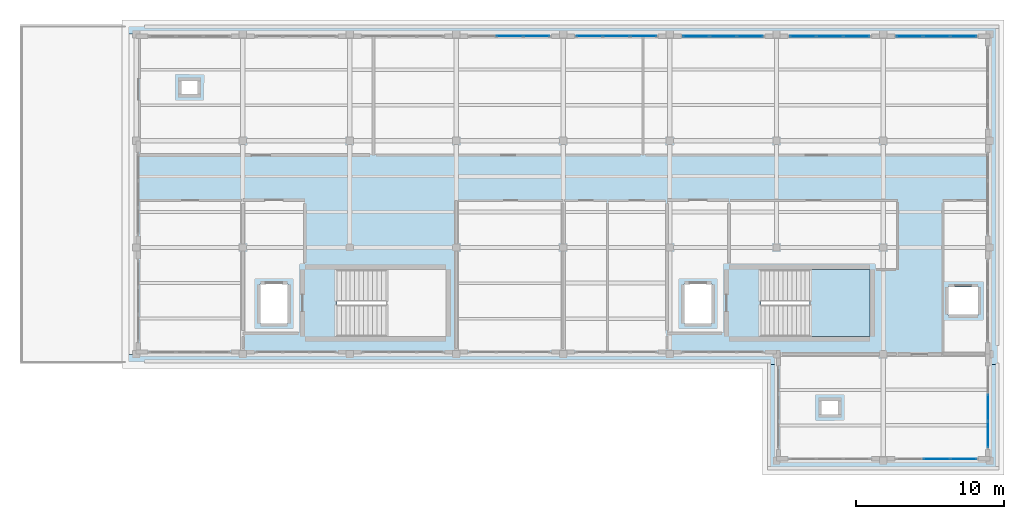
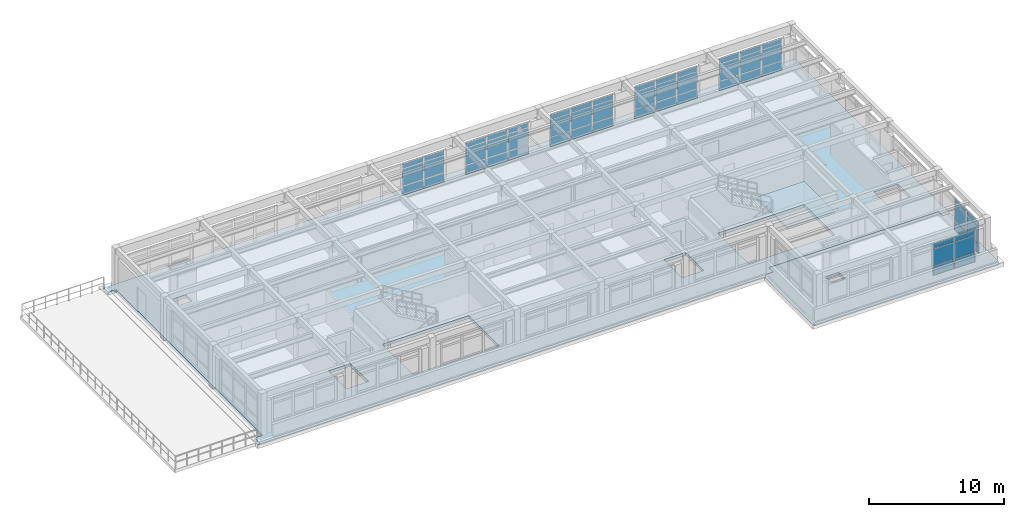
# One storey, part 12 of 18: 54 plates, 3 slabs, 8 elements without a shape of their own.
"""IFC4 building model written with IfcOpenShell, lengths in metres."""

from ifc_helpers import new_model, si_unit, direction, frame, origin, origin_2d, place, context, subcontext, project, spatial, polyline, rectangle, outline, extrude, material, layer, layer_set, type_object, element, aggregate, save


model = new_model("IFC4")

# Units and contexts
model_context = context("Model", 3, precision=1e-05, world=origin(), true_north=direction((0.0, 1.0)))
body_context = subcontext(model_context, "Body", "Model", "MODEL_VIEW")
ifc_project = project(units=[si_unit("LENGTHUNIT", "METRE"), si_unit("AREAUNIT", "SQUARE_METRE"), si_unit("VOLUMEUNIT", "CUBIC_METRE"), si_unit("PLANEANGLEUNIT", "RADIAN"), si_unit("MASSUNIT", "GRAM", prefix="KILO")], contexts=[model_context])

# Site, building, storey
site_placement = place(None, origin())
site = spatial("IfcSite", under=ifc_project, at=site_placement, CompositionType="ELEMENT")
building_placement = place(site_placement, origin())
building = spatial("IfcBuilding", under=site, at=building_placement, Name="Solenvale Faculty of Natural Sciences", CompositionType="ELEMENT")
storey_placement = place(building_placement, frame((0.0, 0.0, 39.60009765625)))
storey = spatial("IfcBuildingStorey", under=building, at=storey_placement, Name="L09", CompositionType="ELEMENT", Elevation=39.60009765625)

# Curtain wall, plates
ifc_material_1 = material(Name="Anodised bronze aluminium", Category="aluminium")
ifc_layer_1 = layer(ifc_material_1, 0.179931640625)
ifc_layer_set_1 = layer_set([ifc_layer_1], Name="Anodised bronze aluminium")
curtain_wall_type = type_object("IfcCurtainWallType", Name="CW-TWR-MOD", PredefinedType="USERDEFINED", material=ifc_layer_set_1)
curtain_wall_1_placement = place(storey_placement, origin())
curtain_wall_1 = element("IfcCurtainWall", 1, at=curtain_wall_1_placement, inside=storey, type_object=curtain_wall_type, Name="L09 Curtain Wall CW-L09-P1-E2-B4", ObjectType="UNITISED CURTAIN WALL", PredefinedType="USERDEFINED")
ifc_material_2 = material(Name="North-light skylight glass", Category="glass")
ifc_layer_2 = layer(ifc_material_2, 0.028076171875)
ifc_layer_set_2 = layer_set([ifc_layer_2], Name="North-light skylight glass")
plate_type_1 = type_object("IfcPlateType", Name="CWP-PNL-28", PredefinedType="CURTAIN_PANEL", material=ifc_layer_set_2)
plate_1_placement = place(storey_placement, frame((127.814697265625, 115.0576171875, 0.074951171875), z_axis=(0.0, 0.0, 1.0), x_axis=(-1.0, 0.0, 0.0)))
plate_1 = element("IfcPlate", 2, at=plate_1_placement, type_object=plate_type_1, Name="CW-04 panel 1.1", PredefinedType="CURTAIN_PANEL", context=body_context, shape_type="SweptSolid", body=[
    extrude(rectangle(XDim=1.720947265625, YDim=0.028076171875, at=origin_2d()), origin(), (0.0, 0.0, 1.0), 0.78759765625),
])
plate_2_placement = place(storey_placement, frame((127.814697265625, 115.0576171875, 0.9375), z_axis=(0.0, 0.0, 1.0), x_axis=(-1.0, 0.0, 0.0)))
plate_2 = element("IfcPlate", 3, at=plate_2_placement, type_object=plate_type_1, Name="CW-04 panel 1.2", PredefinedType="CURTAIN_PANEL", context=body_context, shape_type="SweptSolid", body=[
    extrude(rectangle(XDim=1.720947265625, YDim=0.028076171875, at=origin_2d()), origin(), (0.0, 0.0, 1.0), 1.485107421875),
])
plate_3_placement = place(storey_placement, frame((127.814697265625, 115.0576171875, 2.49755859375), z_axis=(0.0, 0.0, 1.0), x_axis=(-1.0, 0.0, 0.0)))
plate_3 = element("IfcPlate", 4, at=plate_3_placement, type_object=plate_type_1, Name="CW-04 panel 1.3", PredefinedType="CURTAIN_PANEL", context=body_context, shape_type="SweptSolid", body=[
    extrude(rectangle(XDim=1.720947265625, YDim=0.028076171875, at=origin_2d()), origin(), (0.0, 0.0, 1.0), 0.387451171875),
])
plate_4_placement = place(storey_placement, frame((126.0, 115.0576171875, 0.074951171875), z_axis=(0.0, 0.0, 1.0), x_axis=(-1.0, 0.0, 0.0)))
plate_4 = element("IfcPlate", 5, at=plate_4_placement, type_object=plate_type_1, Name="CW-04 panel 2.1", PredefinedType="CURTAIN_PANEL", context=body_context, shape_type="SweptSolid", body=[
    extrude(rectangle(XDim=1.75830078125, YDim=0.028076171875, at=origin_2d()), origin(), (0.0, 0.0, 1.0), 0.78759765625),
])
plate_5_placement = place(storey_placement, frame((126.0, 115.0576171875, 0.9375), z_axis=(0.0, 0.0, 1.0), x_axis=(-1.0, 0.0, 0.0)))
plate_5 = element("IfcPlate", 6, at=plate_5_placement, type_object=plate_type_1, Name="CW-04 panel 2.2", PredefinedType="CURTAIN_PANEL", context=body_context, shape_type="SweptSolid", body=[
    extrude(rectangle(XDim=1.75830078125, YDim=0.028076171875, at=origin_2d()), origin(), (0.0, 0.0, 1.0), 1.485107421875),
])
plate_6_placement = place(storey_placement, frame((126.0, 115.0576171875, 2.49755859375), z_axis=(0.0, 0.0, 1.0), x_axis=(-1.0, 0.0, 0.0)))
plate_6 = element("IfcPlate", 7, at=plate_6_placement, type_object=plate_type_1, Name="CW-04 panel 2.3", PredefinedType="CURTAIN_PANEL", context=body_context, shape_type="SweptSolid", body=[
    extrude(rectangle(XDim=1.75830078125, YDim=0.028076171875, at=origin_2d()), origin(), (0.0, 0.0, 1.0), 0.387451171875),
])
plate_7_placement = place(storey_placement, frame((124.185302734375, 115.0576171875, 0.074951171875), z_axis=(0.0, 0.0, 1.0), x_axis=(-1.0, 0.0, 0.0)))
plate_7 = element("IfcPlate", 8, at=plate_7_placement, type_object=plate_type_1, Name="CW-04 panel 3.1", PredefinedType="CURTAIN_PANEL", context=body_context, shape_type="SweptSolid", body=[
    extrude(rectangle(XDim=1.720947265625, YDim=0.028076171875, at=origin_2d()), origin(), (0.0, 0.0, 1.0), 0.78759765625),
])
plate_8_placement = place(storey_placement, frame((124.185302734375, 115.0576171875, 0.9375), z_axis=(0.0, 0.0, 1.0), x_axis=(-1.0, 0.0, 0.0)))
plate_8 = element("IfcPlate", 9, at=plate_8_placement, type_object=plate_type_1, Name="CW-04 panel 3.2", PredefinedType="CURTAIN_PANEL", context=body_context, shape_type="SweptSolid", body=[
    extrude(rectangle(XDim=1.720947265625, YDim=0.028076171875, at=origin_2d()), origin(), (0.0, 0.0, 1.0), 1.485107421875),
])
plate_9_placement = place(storey_placement, frame((124.185302734375, 115.0576171875, 2.49755859375), z_axis=(0.0, 0.0, 1.0), x_axis=(-1.0, 0.0, 0.0)))
plate_9 = element("IfcPlate", 10, at=plate_9_placement, type_object=plate_type_1, Name="CW-04 panel 3.3", PredefinedType="CURTAIN_PANEL", context=body_context, shape_type="SweptSolid", body=[
    extrude(rectangle(XDim=1.720947265625, YDim=0.028076171875, at=origin_2d()), origin(), (0.0, 0.0, 1.0), 0.387451171875),
])
aggregate(curtain_wall_1, [plate_1, plate_2, plate_3, plate_4, plate_5, plate_6, plate_7, plate_8, plate_9])

curtain_wall_2_placement = place(storey_placement, origin())
curtain_wall_2 = element("IfcCurtainWall", 11, at=curtain_wall_2_placement, inside=storey, type_object=curtain_wall_type, Name="L09 Curtain Wall CW-L09-P1-E2-B5", ObjectType="UNITISED CURTAIN WALL", PredefinedType="USERDEFINED")
ifc_material_3 = material(Name="Triple low-E insulated glass", Category="glass")
ifc_layer_3 = layer(ifc_material_3, 0.031982421875)
ifc_layer_set_3 = layer_set([ifc_layer_3], Name="Triple low-E insulated glass")
plate_type_2 = type_object("IfcPlateType", Name="CWP-PNL-32", PredefinedType="CURTAIN_PANEL", material=ifc_layer_set_3)
plate_10_placement = place(storey_placement, frame((120.614501953125, 115.0576171875, 0.074951171875), z_axis=(0.0, 0.0, 1.0), x_axis=(-1.0, 0.0, 0.0)))
plate_10 = element("IfcPlate", 12, at=plate_10_placement, type_object=plate_type_2, Name="CW-04 panel 1.1", PredefinedType="CURTAIN_PANEL", context=body_context, shape_type="SweptSolid", body=[
    extrude(rectangle(XDim=1.720947265625, YDim=0.031982421875, at=origin_2d()), origin(), (0.0, 0.0, 1.0), 0.78759765625),
])
plate_11_placement = place(storey_placement, frame((120.614501953125, 115.0576171875, 0.9375), z_axis=(0.0, 0.0, 1.0), x_axis=(-1.0, 0.0, 0.0)))
plate_11 = element("IfcPlate", 13, at=plate_11_placement, type_object=plate_type_2, Name="CW-04 panel 1.2", PredefinedType="CURTAIN_PANEL", context=body_context, shape_type="SweptSolid", body=[
    extrude(rectangle(XDim=1.720947265625, YDim=0.031982421875, at=origin_2d()), origin(), (0.0, 0.0, 1.0), 1.485107421875),
])
plate_12_placement = place(storey_placement, frame((120.614501953125, 115.0576171875, 2.49755859375), z_axis=(0.0, 0.0, 1.0), x_axis=(-1.0, 0.0, 0.0)))
plate_12 = element("IfcPlate", 14, at=plate_12_placement, type_object=plate_type_2, Name="CW-04 panel 1.3", PredefinedType="CURTAIN_PANEL", context=body_context, shape_type="SweptSolid", body=[
    extrude(rectangle(XDim=1.720947265625, YDim=0.031982421875, at=origin_2d()), origin(), (0.0, 0.0, 1.0), 0.387451171875),
])
plate_13_placement = place(storey_placement, frame((118.800048828125, 115.0576171875, 0.074951171875), z_axis=(0.0, 0.0, 1.0), x_axis=(-1.0, 0.0, 0.0)))
plate_13 = element("IfcPlate", 15, at=plate_13_placement, type_object=plate_type_2, Name="CW-04 panel 2.1", PredefinedType="CURTAIN_PANEL", context=body_context, shape_type="SweptSolid", body=[
    extrude(rectangle(XDim=1.75830078125, YDim=0.031982421875, at=origin_2d()), origin(), (0.0, 0.0, 1.0), 0.78759765625),
])
plate_14_placement = place(storey_placement, frame((118.800048828125, 115.0576171875, 0.9375), z_axis=(0.0, 0.0, 1.0), x_axis=(-1.0, 0.0, 0.0)))
plate_14 = element("IfcPlate", 16, at=plate_14_placement, type_object=plate_type_2, Name="CW-04 panel 2.2", PredefinedType="CURTAIN_PANEL", context=body_context, shape_type="SweptSolid", body=[
    extrude(rectangle(XDim=1.75830078125, YDim=0.031982421875, at=origin_2d()), origin(), (0.0, 0.0, 1.0), 1.485107421875),
])
plate_15_placement = place(storey_placement, frame((118.800048828125, 115.0576171875, 2.49755859375), z_axis=(0.0, 0.0, 1.0), x_axis=(-1.0, 0.0, 0.0)))
plate_15 = element("IfcPlate", 17, at=plate_15_placement, type_object=plate_type_2, Name="CW-04 panel 2.3", PredefinedType="CURTAIN_PANEL", context=body_context, shape_type="SweptSolid", body=[
    extrude(rectangle(XDim=1.75830078125, YDim=0.031982421875, at=origin_2d()), origin(), (0.0, 0.0, 1.0), 0.387451171875),
])
aggregate(curtain_wall_2, [plate_10, plate_11, plate_12, plate_13, plate_14, plate_15])

curtain_wall_3_placement = place(storey_placement, origin())
curtain_wall_3 = element("IfcCurtainWall", 18, at=curtain_wall_3_placement, inside=storey, type_object=curtain_wall_type, Name="L09 Curtain Wall CW-L09-P1-E6-B2", ObjectType="UNITISED CURTAIN WALL", PredefinedType="USERDEFINED")
ifc_layer_4 = layer(ifc_material_3, 0.035888671875)
ifc_layer_set_4 = layer_set([ifc_layer_4], Name="Triple low-E insulated glass")
plate_type_3 = type_object("IfcPlateType", Name="CWP-PNL-36", PredefinedType="CURTAIN_PANEL", material=ifc_layer_set_4)
plate_16_placement = place(storey_placement, frame((147.60009765625, 86.54248046875, 0.074951171875), z_axis=(0.0, 0.0, 1.0), x_axis=(1.0, 0.0, 0.0)))
plate_16 = element("IfcPlate", 19, at=plate_16_placement, type_object=plate_type_3, Name="CW-04 panel 2.1", PredefinedType="CURTAIN_PANEL", context=body_context, shape_type="SweptSolid", body=[
    extrude(rectangle(XDim=1.75830078125, YDim=0.035888671875, at=origin_2d()), origin(), (0.0, 0.0, 1.0), 0.78759765625),
])
plate_17_placement = place(storey_placement, frame((147.60009765625, 86.54248046875, 0.9375), z_axis=(0.0, 0.0, 1.0), x_axis=(1.0, 0.0, 0.0)))
plate_17 = element("IfcPlate", 20, at=plate_17_placement, type_object=plate_type_3, Name="CW-04 panel 2.2", PredefinedType="CURTAIN_PANEL", context=body_context, shape_type="SweptSolid", body=[
    extrude(rectangle(XDim=1.75830078125, YDim=0.035888671875, at=origin_2d()), origin(), (0.0, 0.0, 1.0), 1.485107421875),
])
plate_18_placement = place(storey_placement, frame((147.60009765625, 86.54248046875, 2.49755859375), z_axis=(0.0, 0.0, 1.0), x_axis=(1.0, 0.0, 0.0)))
plate_18 = element("IfcPlate", 21, at=plate_18_placement, type_object=plate_type_3, Name="CW-04 panel 2.3", PredefinedType="CURTAIN_PANEL", context=body_context, shape_type="SweptSolid", body=[
    extrude(rectangle(XDim=1.75830078125, YDim=0.035888671875, at=origin_2d()), origin(), (0.0, 0.0, 1.0), 0.387451171875),
])
plate_19_placement = place(storey_placement, frame((149.41455078125, 86.54248046875, 0.074951171875), z_axis=(0.0, 0.0, 1.0), x_axis=(1.0, 0.0, 0.0)))
plate_19 = element("IfcPlate", 22, at=plate_19_placement, type_object=plate_type_3, Name="CW-04 panel 3.1", PredefinedType="CURTAIN_PANEL", context=body_context, shape_type="SweptSolid", body=[
    extrude(rectangle(XDim=1.720947265625, YDim=0.035888671875, at=origin_2d()), origin(), (0.0, 0.0, 1.0), 0.78759765625),
])
plate_20_placement = place(storey_placement, frame((149.41455078125, 86.54248046875, 0.9375), z_axis=(0.0, 0.0, 1.0), x_axis=(1.0, 0.0, 0.0)))
plate_20 = element("IfcPlate", 23, at=plate_20_placement, type_object=plate_type_3, Name="CW-04 panel 3.2", PredefinedType="CURTAIN_PANEL", context=body_context, shape_type="SweptSolid", body=[
    extrude(rectangle(XDim=1.720947265625, YDim=0.035888671875, at=origin_2d()), origin(), (0.0, 0.0, 1.0), 1.485107421875),
])
plate_21_placement = place(storey_placement, frame((149.41455078125, 86.54248046875, 2.49755859375), z_axis=(0.0, 0.0, 1.0), x_axis=(1.0, 0.0, 0.0)))
plate_21 = element("IfcPlate", 24, at=plate_21_placement, type_object=plate_type_3, Name="CW-04 panel 3.3", PredefinedType="CURTAIN_PANEL", context=body_context, shape_type="SweptSolid", body=[
    extrude(rectangle(XDim=1.720947265625, YDim=0.035888671875, at=origin_2d()), origin(), (0.0, 0.0, 1.0), 0.387451171875),
])
aggregate(curtain_wall_3, [plate_16, plate_17, plate_18, plate_19, plate_20, plate_21])

curtain_wall_4_placement = place(storey_placement, origin())
curtain_wall_4 = element("IfcCurtainWall", 25, at=curtain_wall_4_placement, inside=storey, type_object=curtain_wall_type, Name="L09 Curtain Wall CW-L09-P1-E7-B1", ObjectType="UNITISED CURTAIN WALL", PredefinedType="USERDEFINED")
plate_22_placement = place(storey_placement, frame((151.0576171875, 88.185302734375, 0.074951171875), z_axis=(0.0, 0.0, 1.0), x_axis=(0.0, 1.0, 0.0)))
plate_22 = element("IfcPlate", 26, at=plate_22_placement, type_object=plate_type_3, Name="CW-04 panel 1.1", PredefinedType="CURTAIN_PANEL", context=body_context, shape_type="SweptSolid", body=[
    extrude(rectangle(XDim=1.720947265625, YDim=0.035888671875, at=origin_2d()), origin(), (0.0, 0.0, 1.0), 0.78759765625),
])
plate_23_placement = place(storey_placement, frame((151.0576171875, 88.185302734375, 0.9375), z_axis=(0.0, 0.0, 1.0), x_axis=(0.0, 1.0, 0.0)))
plate_23 = element("IfcPlate", 27, at=plate_23_placement, type_object=plate_type_3, Name="CW-04 panel 1.2", PredefinedType="CURTAIN_PANEL", context=body_context, shape_type="SweptSolid", body=[
    extrude(rectangle(XDim=1.720947265625, YDim=0.035888671875, at=origin_2d()), origin(), (0.0, 0.0, 1.0), 1.485107421875),
])
plate_24_placement = place(storey_placement, frame((151.0576171875, 88.185302734375, 2.49755859375), z_axis=(0.0, 0.0, 1.0), x_axis=(0.0, 1.0, 0.0)))
plate_24 = element("IfcPlate", 28, at=plate_24_placement, type_object=plate_type_3, Name="CW-04 panel 1.3", PredefinedType="CURTAIN_PANEL", context=body_context, shape_type="SweptSolid", body=[
    extrude(rectangle(XDim=1.720947265625, YDim=0.035888671875, at=origin_2d()), origin(), (0.0, 0.0, 1.0), 0.387451171875),
])
plate_25_placement = place(storey_placement, frame((151.0576171875, 90.0, 0.074951171875), z_axis=(0.0, 0.0, 1.0), x_axis=(0.0, 1.0, 0.0)))
plate_25 = element("IfcPlate", 29, at=plate_25_placement, type_object=plate_type_3, Name="CW-04 panel 2.1", PredefinedType="CURTAIN_PANEL", context=body_context, shape_type="SweptSolid", body=[
    extrude(rectangle(XDim=1.75830078125, YDim=0.035888671875, at=origin_2d()), origin(), (0.0, 0.0, 1.0), 0.78759765625),
])
plate_26_placement = place(storey_placement, frame((151.0576171875, 90.0, 0.9375), z_axis=(0.0, 0.0, 1.0), x_axis=(0.0, 1.0, 0.0)))
plate_26 = element("IfcPlate", 30, at=plate_26_placement, type_object=plate_type_3, Name="CW-04 panel 2.2", PredefinedType="CURTAIN_PANEL", context=body_context, shape_type="SweptSolid", body=[
    extrude(rectangle(XDim=1.75830078125, YDim=0.035888671875, at=origin_2d()), origin(), (0.0, 0.0, 1.0), 1.485107421875),
])
plate_27_placement = place(storey_placement, frame((151.0576171875, 90.0, 2.49755859375), z_axis=(0.0, 0.0, 1.0), x_axis=(0.0, 1.0, 0.0)))
plate_27 = element("IfcPlate", 31, at=plate_27_placement, type_object=plate_type_3, Name="CW-04 panel 2.3", PredefinedType="CURTAIN_PANEL", context=body_context, shape_type="SweptSolid", body=[
    extrude(rectangle(XDim=1.75830078125, YDim=0.035888671875, at=origin_2d()), origin(), (0.0, 0.0, 1.0), 0.387451171875),
])
aggregate(curtain_wall_4, [plate_22, plate_23, plate_24, plate_25, plate_26, plate_27])

curtain_wall_5_placement = place(storey_placement, origin())
curtain_wall_5 = element("IfcCurtainWall", 32, at=curtain_wall_5_placement, inside=storey, type_object=curtain_wall_type, Name="L09 Curtain Wall CW-L09-P1-E2-B1", ObjectType="UNITISED CURTAIN WALL", PredefinedType="USERDEFINED")
ifc_layer_5 = layer(ifc_material_1, 0.048095703125)
ifc_layer_set_5 = layer_set([ifc_layer_5], Name="Anodised bronze aluminium")
plate_type_4 = type_object("IfcPlateType", Name="CWP-PNL-48", PredefinedType="CURTAIN_PANEL", material=ifc_layer_set_5)
plate_28_placement = place(storey_placement, frame((149.41455078125, 115.0576171875, 0.074951171875), z_axis=(0.0, 0.0, 1.0), x_axis=(-1.0, 0.0, 0.0)))
plate_28 = element("IfcPlate", 33, at=plate_28_placement, type_object=plate_type_4, Name="CW-04 panel 1.1", PredefinedType="CURTAIN_PANEL", context=body_context, shape_type="SweptSolid", body=[
    extrude(rectangle(XDim=1.720947265625, YDim=0.048095703125, at=origin_2d()), origin(), (0.0, 0.0, 1.0), 0.78759765625),
])
plate_29_placement = place(storey_placement, frame((149.41455078125, 115.0576171875, 0.9375), z_axis=(0.0, 0.0, 1.0), x_axis=(-1.0, 0.0, 0.0)))
plate_29 = element("IfcPlate", 34, at=plate_29_placement, type_object=plate_type_4, Name="CW-04 panel 1.2", PredefinedType="CURTAIN_PANEL", context=body_context, shape_type="SweptSolid", body=[
    extrude(rectangle(XDim=1.720947265625, YDim=0.048095703125, at=origin_2d()), origin(), (0.0, 0.0, 1.0), 1.485107421875),
])
plate_30_placement = place(storey_placement, frame((149.41455078125, 115.0576171875, 2.49755859375), z_axis=(0.0, 0.0, 1.0), x_axis=(-1.0, 0.0, 0.0)))
plate_30 = element("IfcPlate", 35, at=plate_30_placement, type_object=plate_type_4, Name="CW-04 panel 1.3", PredefinedType="CURTAIN_PANEL", context=body_context, shape_type="SweptSolid", body=[
    extrude(rectangle(XDim=1.720947265625, YDim=0.048095703125, at=origin_2d()), origin(), (0.0, 0.0, 1.0), 0.387451171875),
])
plate_31_placement = place(storey_placement, frame((147.60009765625, 115.0576171875, 0.074951171875), z_axis=(0.0, 0.0, 1.0), x_axis=(-1.0, 0.0, 0.0)))
plate_31 = element("IfcPlate", 36, at=plate_31_placement, type_object=plate_type_4, Name="CW-04 panel 2.1", PredefinedType="CURTAIN_PANEL", context=body_context, shape_type="SweptSolid", body=[
    extrude(rectangle(XDim=1.75830078125, YDim=0.048095703125, at=origin_2d()), origin(), (0.0, 0.0, 1.0), 0.78759765625),
])
plate_32_placement = place(storey_placement, frame((147.60009765625, 115.0576171875, 0.9375), z_axis=(0.0, 0.0, 1.0), x_axis=(-1.0, 0.0, 0.0)))
plate_32 = element("IfcPlate", 37, at=plate_32_placement, type_object=plate_type_4, Name="CW-04 panel 2.2", PredefinedType="CURTAIN_PANEL", context=body_context, shape_type="SweptSolid", body=[
    extrude(rectangle(XDim=1.75830078125, YDim=0.048095703125, at=origin_2d()), origin(), (0.0, 0.0, 1.0), 1.485107421875),
])
plate_33_placement = place(storey_placement, frame((147.60009765625, 115.0576171875, 2.49755859375), z_axis=(0.0, 0.0, 1.0), x_axis=(-1.0, 0.0, 0.0)))
plate_33 = element("IfcPlate", 38, at=plate_33_placement, type_object=plate_type_4, Name="CW-04 panel 2.3", PredefinedType="CURTAIN_PANEL", context=body_context, shape_type="SweptSolid", body=[
    extrude(rectangle(XDim=1.75830078125, YDim=0.048095703125, at=origin_2d()), origin(), (0.0, 0.0, 1.0), 0.387451171875),
])
plate_34_placement = place(storey_placement, frame((145.785400390625, 115.0576171875, 0.074951171875), z_axis=(0.0, 0.0, 1.0), x_axis=(-1.0, 0.0, 0.0)))
plate_34 = element("IfcPlate", 39, at=plate_34_placement, type_object=plate_type_4, Name="CW-04 panel 3.1", PredefinedType="CURTAIN_PANEL", context=body_context, shape_type="SweptSolid", body=[
    extrude(rectangle(XDim=1.720947265625, YDim=0.048095703125, at=origin_2d()), origin(), (0.0, 0.0, 1.0), 0.78759765625),
])
plate_35_placement = place(storey_placement, frame((145.785400390625, 115.0576171875, 0.9375), z_axis=(0.0, 0.0, 1.0), x_axis=(-1.0, 0.0, 0.0)))
plate_35 = element("IfcPlate", 40, at=plate_35_placement, type_object=plate_type_4, Name="CW-04 panel 3.2", PredefinedType="CURTAIN_PANEL", context=body_context, shape_type="SweptSolid", body=[
    extrude(rectangle(XDim=1.720947265625, YDim=0.048095703125, at=origin_2d()), origin(), (0.0, 0.0, 1.0), 1.485107421875),
])
plate_36_placement = place(storey_placement, frame((145.785400390625, 115.0576171875, 2.49755859375), z_axis=(0.0, 0.0, 1.0), x_axis=(-1.0, 0.0, 0.0)))
plate_36 = element("IfcPlate", 41, at=plate_36_placement, type_object=plate_type_4, Name="CW-04 panel 3.3", PredefinedType="CURTAIN_PANEL", context=body_context, shape_type="SweptSolid", body=[
    extrude(rectangle(XDim=1.720947265625, YDim=0.048095703125, at=origin_2d()), origin(), (0.0, 0.0, 1.0), 0.387451171875),
])
aggregate(curtain_wall_5, [plate_28, plate_29, plate_30, plate_31, plate_32, plate_33, plate_34, plate_35, plate_36])

curtain_wall_6_placement = place(storey_placement, origin())
curtain_wall_6 = element("IfcCurtainWall", 42, at=curtain_wall_6_placement, inside=storey, type_object=curtain_wall_type, Name="L09 Curtain Wall CW-L09-P1-E2-B2", ObjectType="UNITISED CURTAIN WALL", PredefinedType="USERDEFINED")
ifc_layer_6 = layer(ifc_material_1, 0.053955078125)
ifc_layer_set_6 = layer_set([ifc_layer_6], Name="Anodised bronze aluminium")
plate_type_5 = type_object("IfcPlateType", Name="CWP-PNL-54", PredefinedType="CURTAIN_PANEL", material=ifc_layer_set_6)
plate_37_placement = place(storey_placement, frame((142.214599609375, 115.0576171875, 0.074951171875), z_axis=(0.0, 0.0, 1.0), x_axis=(-1.0, 0.0, 0.0)))
plate_37 = element("IfcPlate", 43, at=plate_37_placement, type_object=plate_type_5, Name="CW-04 panel 1.1", PredefinedType="CURTAIN_PANEL", context=body_context, shape_type="SweptSolid", body=[
    extrude(rectangle(XDim=1.720947265625, YDim=0.053955078125, at=origin_2d()), origin(), (0.0, 0.0, 1.0), 0.78759765625),
])
plate_38_placement = place(storey_placement, frame((142.214599609375, 115.0576171875, 0.9375), z_axis=(0.0, 0.0, 1.0), x_axis=(-1.0, 0.0, 0.0)))
plate_38 = element("IfcPlate", 44, at=plate_38_placement, type_object=plate_type_5, Name="CW-04 panel 1.2", PredefinedType="CURTAIN_PANEL", context=body_context, shape_type="SweptSolid", body=[
    extrude(rectangle(XDim=1.720947265625, YDim=0.053955078125, at=origin_2d()), origin(), (0.0, 0.0, 1.0), 1.485107421875),
])
plate_39_placement = place(storey_placement, frame((142.214599609375, 115.0576171875, 2.49755859375), z_axis=(0.0, 0.0, 1.0), x_axis=(-1.0, 0.0, 0.0)))
plate_39 = element("IfcPlate", 45, at=plate_39_placement, type_object=plate_type_5, Name="CW-04 panel 1.3", PredefinedType="CURTAIN_PANEL", context=body_context, shape_type="SweptSolid", body=[
    extrude(rectangle(XDim=1.720947265625, YDim=0.053955078125, at=origin_2d()), origin(), (0.0, 0.0, 1.0), 0.387451171875),
])
plate_40_placement = place(storey_placement, frame((140.39990234375, 115.0576171875, 0.074951171875), z_axis=(0.0, 0.0, 1.0), x_axis=(-1.0, 0.0, 0.0)))
plate_40 = element("IfcPlate", 46, at=plate_40_placement, type_object=plate_type_5, Name="CW-04 panel 2.1", PredefinedType="CURTAIN_PANEL", context=body_context, shape_type="SweptSolid", body=[
    extrude(rectangle(XDim=1.75830078125, YDim=0.053955078125, at=origin_2d()), origin(), (0.0, 0.0, 1.0), 0.78759765625),
])
plate_41_placement = place(storey_placement, frame((140.39990234375, 115.0576171875, 0.9375), z_axis=(0.0, 0.0, 1.0), x_axis=(-1.0, 0.0, 0.0)))
plate_41 = element("IfcPlate", 47, at=plate_41_placement, type_object=plate_type_5, Name="CW-04 panel 2.2", PredefinedType="CURTAIN_PANEL", context=body_context, shape_type="SweptSolid", body=[
    extrude(rectangle(XDim=1.75830078125, YDim=0.053955078125, at=origin_2d()), origin(), (0.0, 0.0, 1.0), 1.485107421875),
])
plate_42_placement = place(storey_placement, frame((140.39990234375, 115.0576171875, 2.49755859375), z_axis=(0.0, 0.0, 1.0), x_axis=(-1.0, 0.0, 0.0)))
plate_42 = element("IfcPlate", 48, at=plate_42_placement, type_object=plate_type_5, Name="CW-04 panel 2.3", PredefinedType="CURTAIN_PANEL", context=body_context, shape_type="SweptSolid", body=[
    extrude(rectangle(XDim=1.75830078125, YDim=0.053955078125, at=origin_2d()), origin(), (0.0, 0.0, 1.0), 0.387451171875),
])
plate_43_placement = place(storey_placement, frame((138.58544921875, 115.0576171875, 0.074951171875), z_axis=(0.0, 0.0, 1.0), x_axis=(-1.0, 0.0, 0.0)))
plate_43 = element("IfcPlate", 49, at=plate_43_placement, type_object=plate_type_5, Name="CW-04 panel 3.1", PredefinedType="CURTAIN_PANEL", context=body_context, shape_type="SweptSolid", body=[
    extrude(rectangle(XDim=1.720947265625, YDim=0.053955078125, at=origin_2d()), origin(), (0.0, 0.0, 1.0), 0.78759765625),
])
plate_44_placement = place(storey_placement, frame((138.58544921875, 115.0576171875, 0.9375), z_axis=(0.0, 0.0, 1.0), x_axis=(-1.0, 0.0, 0.0)))
plate_44 = element("IfcPlate", 50, at=plate_44_placement, type_object=plate_type_5, Name="CW-04 panel 3.2", PredefinedType="CURTAIN_PANEL", context=body_context, shape_type="SweptSolid", body=[
    extrude(rectangle(XDim=1.720947265625, YDim=0.053955078125, at=origin_2d()), origin(), (0.0, 0.0, 1.0), 1.485107421875),
])
plate_45_placement = place(storey_placement, frame((138.58544921875, 115.0576171875, 2.49755859375), z_axis=(0.0, 0.0, 1.0), x_axis=(-1.0, 0.0, 0.0)))
plate_45 = element("IfcPlate", 51, at=plate_45_placement, type_object=plate_type_5, Name="CW-04 panel 3.3", PredefinedType="CURTAIN_PANEL", context=body_context, shape_type="SweptSolid", body=[
    extrude(rectangle(XDim=1.720947265625, YDim=0.053955078125, at=origin_2d()), origin(), (0.0, 0.0, 1.0), 0.387451171875),
])
aggregate(curtain_wall_6, [plate_37, plate_38, plate_39, plate_40, plate_41, plate_42, plate_43, plate_44, plate_45])

curtain_wall_7_placement = place(storey_placement, origin())
curtain_wall_7 = element("IfcCurtainWall", 52, at=curtain_wall_7_placement, inside=storey, type_object=curtain_wall_type, Name="L09 Curtain Wall CW-L09-P1-E2-B3", ObjectType="UNITISED CURTAIN WALL", PredefinedType="USERDEFINED")
ifc_layer_7 = layer(ifc_material_1, 0.06005859375)
ifc_layer_set_7 = layer_set([ifc_layer_7], Name="Anodised bronze aluminium")
plate_type_6 = type_object("IfcPlateType", Name="CWP-PNL-60", PredefinedType="CURTAIN_PANEL", material=ifc_layer_set_7)
plate_46_placement = place(storey_placement, frame((135.0146484375, 115.0576171875, 0.074951171875), z_axis=(0.0, 0.0, 1.0), x_axis=(-1.0, 0.0, 0.0)))
plate_46 = element("IfcPlate", 53, at=plate_46_placement, type_object=plate_type_6, Name="CW-04 panel 1.1", PredefinedType="CURTAIN_PANEL", context=body_context, shape_type="SweptSolid", body=[
    extrude(rectangle(XDim=1.720947265625, YDim=0.06005859375, at=origin_2d()), origin(), (0.0, 0.0, 1.0), 0.78759765625),
])
plate_47_placement = place(storey_placement, frame((135.0146484375, 115.0576171875, 0.9375), z_axis=(0.0, 0.0, 1.0), x_axis=(-1.0, 0.0, 0.0)))
plate_47 = element("IfcPlate", 54, at=plate_47_placement, type_object=plate_type_6, Name="CW-04 panel 1.2", PredefinedType="CURTAIN_PANEL", context=body_context, shape_type="SweptSolid", body=[
    extrude(rectangle(XDim=1.720947265625, YDim=0.06005859375, at=origin_2d()), origin(), (0.0, 0.0, 1.0), 1.485107421875),
])
plate_48_placement = place(storey_placement, frame((135.0146484375, 115.0576171875, 2.49755859375), z_axis=(0.0, 0.0, 1.0), x_axis=(-1.0, 0.0, 0.0)))
plate_48 = element("IfcPlate", 55, at=plate_48_placement, type_object=plate_type_6, Name="CW-04 panel 1.3", PredefinedType="CURTAIN_PANEL", context=body_context, shape_type="SweptSolid", body=[
    extrude(rectangle(XDim=1.720947265625, YDim=0.06005859375, at=origin_2d()), origin(), (0.0, 0.0, 1.0), 0.387451171875),
])
plate_49_placement = place(storey_placement, frame((133.199951171875, 115.0576171875, 0.074951171875), z_axis=(0.0, 0.0, 1.0), x_axis=(-1.0, 0.0, 0.0)))
plate_49 = element("IfcPlate", 56, at=plate_49_placement, type_object=plate_type_6, Name="CW-04 panel 2.1", PredefinedType="CURTAIN_PANEL", context=body_context, shape_type="SweptSolid", body=[
    extrude(rectangle(XDim=1.75830078125, YDim=0.06005859375, at=origin_2d()), origin(), (0.0, 0.0, 1.0), 0.78759765625),
])
plate_50_placement = place(storey_placement, frame((133.199951171875, 115.0576171875, 0.9375), z_axis=(0.0, 0.0, 1.0), x_axis=(-1.0, 0.0, 0.0)))
plate_50 = element("IfcPlate", 57, at=plate_50_placement, type_object=plate_type_6, Name="CW-04 panel 2.2", PredefinedType="CURTAIN_PANEL", context=body_context, shape_type="SweptSolid", body=[
    extrude(rectangle(XDim=1.75830078125, YDim=0.06005859375, at=origin_2d()), origin(), (0.0, 0.0, 1.0), 1.485107421875),
])
plate_51_placement = place(storey_placement, frame((133.199951171875, 115.0576171875, 2.49755859375), z_axis=(0.0, 0.0, 1.0), x_axis=(-1.0, 0.0, 0.0)))
plate_51 = element("IfcPlate", 58, at=plate_51_placement, type_object=plate_type_6, Name="CW-04 panel 2.3", PredefinedType="CURTAIN_PANEL", context=body_context, shape_type="SweptSolid", body=[
    extrude(rectangle(XDim=1.75830078125, YDim=0.06005859375, at=origin_2d()), origin(), (0.0, 0.0, 1.0), 0.387451171875),
])
plate_52_placement = place(storey_placement, frame((131.385498046875, 115.0576171875, 0.074951171875), z_axis=(0.0, 0.0, 1.0), x_axis=(-1.0, 0.0, 0.0)))
plate_52 = element("IfcPlate", 59, at=plate_52_placement, type_object=plate_type_6, Name="CW-04 panel 3.1", PredefinedType="CURTAIN_PANEL", context=body_context, shape_type="SweptSolid", body=[
    extrude(rectangle(XDim=1.720947265625, YDim=0.06005859375, at=origin_2d()), origin(), (0.0, 0.0, 1.0), 0.78759765625),
])
plate_53_placement = place(storey_placement, frame((131.385498046875, 115.0576171875, 0.9375), z_axis=(0.0, 0.0, 1.0), x_axis=(-1.0, 0.0, 0.0)))
plate_53 = element("IfcPlate", 60, at=plate_53_placement, type_object=plate_type_6, Name="CW-04 panel 3.2", PredefinedType="CURTAIN_PANEL", context=body_context, shape_type="SweptSolid", body=[
    extrude(rectangle(XDim=1.720947265625, YDim=0.06005859375, at=origin_2d()), origin(), (0.0, 0.0, 1.0), 1.485107421875),
])
plate_54_placement = place(storey_placement, frame((131.385498046875, 115.0576171875, 2.49755859375), z_axis=(0.0, 0.0, 1.0), x_axis=(-1.0, 0.0, 0.0)))
plate_54 = element("IfcPlate", 61, at=plate_54_placement, type_object=plate_type_6, Name="CW-04 panel 3.3", PredefinedType="CURTAIN_PANEL", context=body_context, shape_type="SweptSolid", body=[
    extrude(rectangle(XDim=1.720947265625, YDim=0.06005859375, at=origin_2d()), origin(), (0.0, 0.0, 1.0), 0.387451171875),
])
aggregate(curtain_wall_7, [plate_46, plate_47, plate_48, plate_49, plate_50, plate_51, plate_52, plate_53, plate_54])

# Slabs
ifc_material_4 = material(Name="Concrete 40 MPa", Category="concrete")
ifc_layer_8 = layer(ifc_material_4, 0.280029296875)
ifc_layer_set_8 = layer_set([ifc_layer_8], Name="Concrete 40 MPa")
slab_type_1 = type_object("IfcSlabType", Name="SL-FLR-280", PredefinedType="FLOOR", material=ifc_layer_set_8)
slab_1_placement = place(storey_placement, frame((0.0, 0.0, -0.280029296875)))
element("IfcSlab", 62, at=slab_1_placement, inside=storey, type_object=slab_type_1, Name="L09 V5 Floor Slab 1.1", PredefinedType="FLOOR", context=body_context, shape_type="SweptSolid", body=[
    extrude(outline(polyline([(93.618896484375, 93.600341796875), (93.60595703125, 93.608154296875), (93.60009765625, 93.62451171875), (93.60009765625, 115.175537109375), (93.60595703125, 115.19189453125), (93.6201171875, 115.20068359375), (93.61376953125, 115.214599609375), (93.600341796875, 115.219970703125), (92.945068359375, 115.219970703125), (92.92724609375, 115.227294921875), (92.919921875, 115.2451171875), (92.919921875, 115.85498046875), (92.935302734375, 115.878173828125), (151.85498046875, 115.8798828125), (151.878173828125, 115.864501953125), (151.8798828125, 92.945068359375), (151.864501953125, 92.921875), (151.2451171875, 92.919921875), (151.227294921875, 92.92724609375), (151.219970703125, 92.945068359375), (151.219970703125, 93.55029296875), (151.213623046875, 93.564697265625), (151.19970703125, 93.570068359375), (136.7998046875, 93.570068359375), (136.785400390625, 93.563720703125), (136.780029296875, 93.55029296875), (136.77978515625, 92.9423828125), (136.77099609375, 92.92578125), (136.7548828125, 92.919921875), (92.945068359375, 92.919921875), (92.92724609375, 92.92724609375), (92.919921875, 92.945068359375), (92.919921875, 93.554931640625), (92.92724609375, 93.57275390625), (92.945068359375, 93.580078125), (93.600341796875, 93.580078125), (93.614501953125, 93.586181640625), (93.618896484375, 93.600341796875)]), holes=[polyline([(148.385009765625, 96.260009765625), (150.4150390625, 96.260009765625), (150.4150390625, 98.139892578125), (148.385009765625, 98.139892578125), (148.385009765625, 96.260009765625)]), polyline([(135.739990234375, 94.800048828125), (143.10009765625, 94.800048828125), (143.10009765625, 99.300048828125), (135.739990234375, 99.300048828125), (135.739990234375, 94.800048828125)]), polyline([(130.56005859375, 95.66064453125), (132.43994140625, 95.659912109375), (132.43994140625, 98.340087890625), (130.56005859375, 98.340087890625), (130.56005859375, 95.66064453125)]), polyline([(107.139892578125, 94.800048828125), (114.5, 94.800048828125), (114.5, 99.300048828125), (107.139892578125, 99.300048828125), (107.139892578125, 94.800048828125)]), polyline([(101.9599609375, 95.66064453125), (103.840087890625, 95.659912109375), (103.840087890625, 98.340087890625), (101.9599609375, 98.340087890625), (101.9599609375, 95.66064453125)]), polyline([(96.64990234375, 111.14990234375), (97.75, 111.14990234375), (97.75, 112.050048828125), (96.64990234375, 112.050048828125), (96.64990234375, 111.14990234375)])]), origin(), (0.0, 0.0, 1.0), 0.280029296875),
])
slab_2_placement = place(storey_placement, frame((0.0, 0.0, -0.280029296875)))
element("IfcSlab", 63, at=slab_2_placement, inside=storey, type_object=slab_type_1, Name="L09 V5E Floor Slab 1.1", PredefinedType="FLOOR", context=body_context, shape_type="SweptSolid", body=[
    extrude(outline(polyline([(136.14501953125, 85.719970703125), (136.127197265625, 85.727294921875), (136.1201171875, 85.7451171875), (136.1201171875, 92.8974609375), (136.129150390625, 92.914306640625), (136.14501953125, 92.919921875), (136.780029296875, 92.919921875), (136.780029296875, 93.544921875), (136.79541015625, 93.568115234375), (151.195068359375, 93.570068359375), (151.212646484375, 93.562744140625), (151.219970703125, 93.544921875), (151.219970703125, 92.919921875), (151.85498046875, 92.919921875), (151.878173828125, 92.904541015625), (151.8798828125, 85.7451171875), (151.864501953125, 85.721923828125), (136.14501953125, 85.719970703125)]), holes=[polyline([(139.85009765625, 89.550048828125), (140.949951171875, 89.550048828125), (140.949951171875, 90.449951171875), (139.85009765625, 90.449951171875), (139.85009765625, 89.550048828125)])]), origin(), (0.0, 0.0, 1.0), 0.280029296875),
])

# Stair, slab
stair_type = type_object("IfcStairType", Name="STR-CORE-25R", PredefinedType="DOUBLE_RETURN_STAIR", material=ifc_material_4)
stair_placement = place(storey_placement, origin())
stair = element("IfcStair", 64, at=stair_placement, inside=storey, type_object=stair_type, Name="L09 Protected Exit Stair ST-05", PredefinedType="DOUBLE_RETURN_STAIR")
ifc_layer_9 = layer(ifc_material_4, 0.195068359375)
ifc_layer_set_9 = layer_set([ifc_layer_9], Name="Concrete 40 MPa")
slab_type_2 = type_object("IfcSlabType", Name="SL-LND-195", PredefinedType="LANDING", material=ifc_layer_set_9)
slab_3_placement = place(storey_placement, frame((0.0, 0.0, 1.89990234375)))
slab_3 = element("IfcSlab", 65, at=slab_3_placement, type_object=slab_type_2, Name="ST-05 landing 1", PredefinedType="LANDING", context=body_context, shape_type="SweptSolid", body=[
    extrude(outline(polyline([(139.0400390625, 94.800048828125), (143.10009765625, 94.800048828125), (143.10009765625, 99.300048828125), (139.0400390625, 99.300048828125), (139.0400390625, 94.800048828125)])), origin(), (0.0, 0.0, 1.0), 0.199951171875),
])
aggregate(stair, [slab_3])

save(model, "model.ifc")
